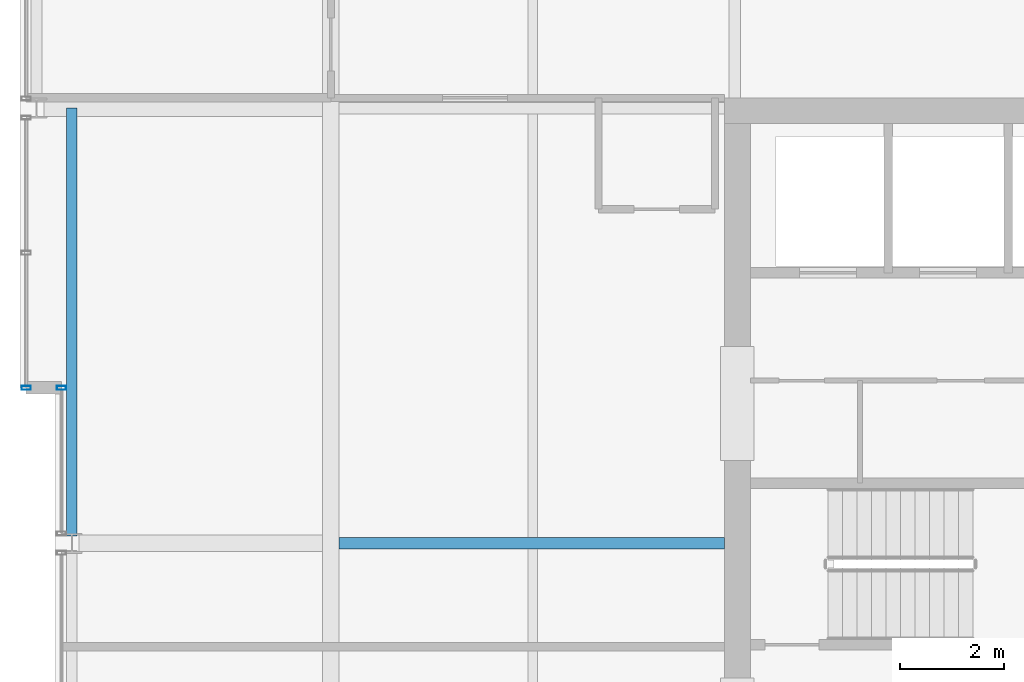
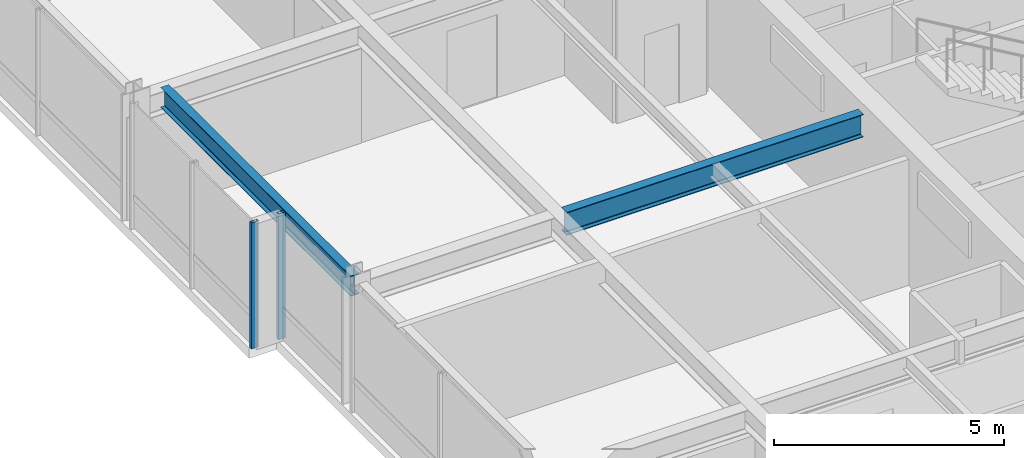
# One storey, part 11 of 32: 2 beams, 2 members, 2 elements without a shape of their own.
"""IFC4 building model written with IfcOpenShell, lengths in metres."""

from ifc_helpers import new_model, si_unit, direction, frame, origin, origin_2d, place, context, subcontext, project, spatial, hollow_rectangle, i_section, extrude, material, layer, layer_set, material_profile, profile_set, type_object, element, aggregate, save


model = new_model("IFC4")

# Units and contexts
model_context = context("Model", 3, precision=1e-05, world=origin(), true_north=direction((0.0, 1.0)))
body_context = subcontext(model_context, "Body", "Model", "MODEL_VIEW")
ifc_project = project(units=[si_unit("LENGTHUNIT", "METRE"), si_unit("AREAUNIT", "SQUARE_METRE"), si_unit("VOLUMEUNIT", "CUBIC_METRE"), si_unit("PLANEANGLEUNIT", "RADIAN"), si_unit("MASSUNIT", "GRAM", prefix="KILO")], contexts=[model_context])

# Site, building, storey
site_placement = place(None, origin())
site = spatial("IfcSite", under=ifc_project, at=site_placement, CompositionType="ELEMENT")
building_placement = place(site_placement, origin())
building = spatial("IfcBuilding", under=site, at=building_placement, Name="Drelvath Grand Hotel", CompositionType="ELEMENT")
storey_placement = place(building_placement, frame((0.0, 0.0, 223.10009765625)))
storey = spatial("IfcBuildingStorey", under=building, at=storey_placement, Name="L58", CompositionType="ELEMENT", Elevation=223.10009765625)

# Curtain wall, member
ifc_material_1 = material(Name="Platinum-Mist Anodised Aluminium Frame", Category="aluminium")
ifc_layer = layer(ifc_material_1, 0.199951171875)
ifc_layer_set = layer_set([ifc_layer], Name="Platinum-Mist Anodised Aluminium Frame")
curtain_wall_type = type_object("IfcCurtainWallType", Name="Stick Curtain Wall CW-05 Platinum Mist High-Rise", PredefinedType="NOTDEFINED", material=ifc_layer_set)
curtain_wall_1_placement = place(storey_placement, origin())
curtain_wall_1 = element("IfcCurtainWall", 1, at=curtain_wall_1_placement, inside=storey, type_object=curtain_wall_type, Name="L58 CW-05 Curtain Wall CW05-L58-WM2", PredefinedType="NOTDEFINED")
ifc_material_profile_1 = material_profile(ifc_material_1, hollow_rectangle(XDim=0.074951171875, YDim=0.179931640625, WallThickness=0.0048828125, at=origin_2d()), Name="HSS180X75X5")
ifc_profile_set_1 = profile_set([ifc_material_profile_1], Name="Platinum-Mist Anodised Aluminium Frame")
member_type = type_object("IfcMemberType", Name="Curtain Wall Vertical Mullion CW-05 HSS180X75X5", PredefinedType="MULLION", material=ifc_profile_set_1)
member_1_placement = place(storey_placement, frame((-21.39990234375, 30.0, 0.0), z_axis=(0.0, 0.0, 1.0), x_axis=(0.0, 1.0, 0.0)))
member_1 = element("IfcMember", 2, at=member_1_placement, type_object=member_type, Name="CW05-L58-WM2 Mullion 2", PredefinedType="MULLION", context=body_context, shape_type="SweptSolid", body=[
    extrude(hollow_rectangle(XDim=0.074951171875, YDim=0.179931640625, WallThickness=0.0048828125, at=origin_2d()), origin(), (0.0, 0.0, 1.0), 3.33984375),
])
aggregate(curtain_wall_1, [member_1])

curtain_wall_2_placement = place(storey_placement, origin())
curtain_wall_2 = element("IfcCurtainWall", 3, at=curtain_wall_2_placement, inside=storey, type_object=curtain_wall_type, Name="L58 CW-05 Curtain Wall CW05-L58-WN1", PredefinedType="NOTDEFINED")
member_2_placement = place(storey_placement, frame((-22.080078125, 30.0, 0.0), z_axis=(0.0, 0.0, 1.0), x_axis=(0.0, 1.0, 0.0)))
member_2 = element("IfcMember", 4, at=member_2_placement, type_object=member_type, Name="CW05-L58-WN1 Mullion 1", PredefinedType="MULLION", context=body_context, shape_type="SweptSolid", body=[
    extrude(hollow_rectangle(XDim=0.074951171875, YDim=0.179931640625, WallThickness=0.0048828125, at=origin_2d()), origin(), (0.0, 0.0, 1.0), 3.33984375),
])
aggregate(curtain_wall_2, [member_2])

# Beams
ifc_material_2 = material(Name="Steel ASTM A992 Gr 50", Category="steel")
ifc_material_profile_2 = material_profile(ifc_material_2, i_section(OverallWidth=0.210205078125, OverallDepth=0.53662109375, WebThickness=0.010986328125, FlangeThickness=0.017333984375, FilletRadius=0.01806640625, at=origin_2d()), Name="W21X68")
ifc_profile_set_2 = profile_set([ifc_material_profile_2], Name="Steel ASTM A992 Gr 50")
beam_type_1 = type_object("IfcBeamType", Name="Perimeter Spandrel Beam W21X68", PredefinedType="SPANDREL", material=ifc_profile_set_2)
beam_1_placement = place(storey_placement, frame((-21.199951171875, 27.139892578125, 3.071533203125), z_axis=(0.0, 1.0, 0.0), x_axis=(-1.0, 0.0, 0.0)))
element("IfcBeam", 5, at=beam_1_placement, inside=storey, type_object=beam_type_1, Name="L58 Spandrel West Mid N", PredefinedType="SPANDREL", context=body_context, shape_type="SweptSolid", body=[
    extrude(i_section(OverallWidth=0.210205078125, OverallDepth=0.53662109375, WebThickness=0.010986328125, FlangeThickness=0.017333984375, FilletRadius=0.01806640625, at=origin_2d()), origin(), (0.0, 0.0, 1.0), 8.260009765625),
])
ifc_material_profile_3 = material_profile(ifc_material_2, i_section(OverallWidth=0.228271484375, OverallDepth=0.607666015625, WebThickness=0.01123046875, FlangeThickness=0.017333984375, FilletRadius=0.02001953125, at=origin_2d()), Name="W24X76")
ifc_profile_set_3 = profile_set([ifc_material_profile_3], Name="Steel ASTM A992 Gr 50")
beam_type_2 = type_object("IfcBeamType", Name="Primary Floor Girder W24X76", PredefinedType="BEAM", material=ifc_profile_set_3)
beam_2_placement = place(storey_placement, frame((-16.0380859375, 27.0, 3.0361328125), z_axis=(1.0, 0.0, 0.0), x_axis=(0.0, 1.0, 0.0)))
element("IfcBeam", 6, at=beam_2_placement, inside=storey, type_object=beam_type_2, Name="L58 West Core Tie E", PredefinedType="BEAM", context=body_context, shape_type="SweptSolid", body=[
    extrude(i_section(OverallWidth=0.228271484375, OverallDepth=0.607666015625, WebThickness=0.01123046875, FlangeThickness=0.017333984375, FilletRadius=0.02001953125, at=origin_2d()), origin(), (0.0, 0.0, 1.0), 7.43798828125),
])

save(model, "model.ifc")
